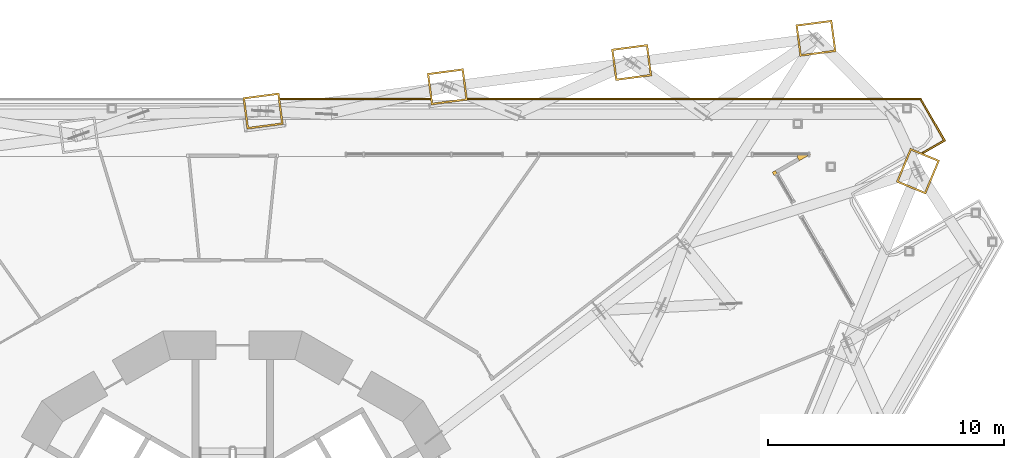
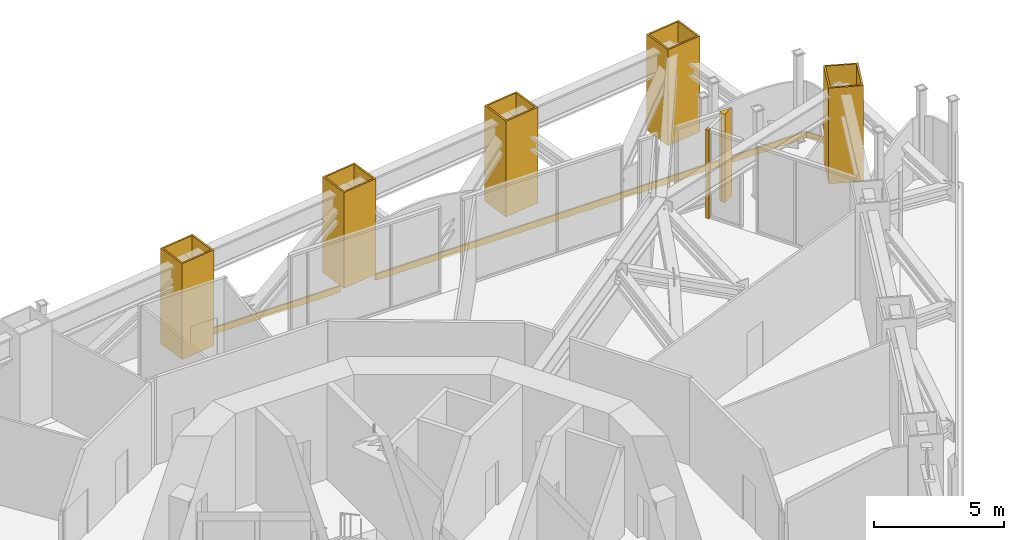
# One storey, part 28 of 28: 9 coverings.
"""IFC4 building model written with IfcOpenShell, lengths in metres."""

from ifc_helpers import new_model, si_unit, direction, frame, origin, place, context, subcontext, project, spatial, polyline, outline, extrude, material, layer, layer_set, type_object, element, save


model = new_model("IFC4")

# Units and contexts
model_context = context("Model", 3, precision=1e-05, world=origin(), true_north=direction((0.0, 1.0)))
body_context = subcontext(model_context, "Body", "Model", "MODEL_VIEW")
ifc_project = project(units=[si_unit("LENGTHUNIT", "METRE"), si_unit("AREAUNIT", "SQUARE_METRE"), si_unit("VOLUMEUNIT", "CUBIC_METRE"), si_unit("PLANEANGLEUNIT", "RADIAN"), si_unit("MASSUNIT", "GRAM", prefix="KILO")], contexts=[model_context])

# Site, building, storey
site_placement = place(None, origin())
site = spatial("IfcSite", under=ifc_project, at=site_placement, CompositionType="ELEMENT")
building_placement = place(site_placement, origin())
building = spatial("IfcBuilding", under=site, at=building_placement, Name="Trine Commons Tower", CompositionType="ELEMENT")
storey_placement = place(building_placement, frame((0.0, 0.0, 45.89990234375)))
storey = spatial("IfcBuildingStorey", under=building, at=storey_placement, Name="L10", CompositionType="ELEMENT", Elevation=45.89990234375)

# Coverings
ifc_material_1 = material(Name="Aluminium-framed insulated wall panel", Category="aluminium")
ifc_layer_1 = layer(ifc_material_1, 0.14990234375)
ifc_layer_set_1 = layer_set([ifc_layer_1], Name="Aluminium-framed insulated wall panel")
covering_type_1 = type_object("IfcCoveringType", Name="Glazing corner post, aluminium", PredefinedType="CLADDING", material=ifc_layer_set_1)
covering_1_placement = place(storey_placement, origin())
element("IfcCovering", 1, at=covering_1_placement, inside=storey, type_object=covering_type_1, Name="Glazing corner post 1-05", PredefinedType="CLADDING", context=body_context, shape_type="SweptSolid", body=[
    extrude(outline(polyline([(103.96875, 80.714599609375), (104.45361328125, 80.99462890625), (103.893798828125, 80.99462890625), (103.893798828125, 80.844482421875), (103.96875, 80.714599609375)])), origin(), (0.0, 0.0, 1.0), 4.150146484375),
])
covering_2_placement = place(storey_placement, origin())
element("IfcCovering", 2, at=covering_2_placement, inside=storey, type_object=covering_type_1, Name="Glazing corner post 1-06", PredefinedType="CLADDING", context=body_context, shape_type="SweptSolid", body=[
    extrude(outline(polyline([(102.898681640625, 80.0966796875), (103.028564453125, 80.171875), (102.95361328125, 80.3017578125), (102.823486328125, 80.226806640625), (102.898681640625, 80.0966796875)])), origin(), (0.0, 0.0, 1.0), 4.150146484375),
])
ifc_material_2 = material(Name="Limestone, honed", Category="masonry")
ifc_layer_2 = layer(ifc_material_2, 0.074951171875)
ifc_layer_set_2 = layer_set([ifc_layer_2], Name="Limestone, honed")
covering_type_2 = type_object("IfcCoveringType", Name="Limestone column cladding 75", PredefinedType="CLADDING", material=ifc_layer_set_2)
covering_3_placement = place(storey_placement, origin())
element("IfcCovering", 3, at=covering_3_placement, inside=storey, type_object=covering_type_2, Name="Limestone pier cladding 2-13", PredefinedType="CLADDING", context=body_context, shape_type="SweptSolid", body=[
    extrude(outline(polyline([(82.1455078125, 82.250732421875), (81.969482421875, 83.58935546875), (80.4326171875, 83.386962890625), (80.60888671875, 82.048583984375), (82.1455078125, 82.250732421875)]), holes=[polyline([(82.061279296875, 82.3154296875), (81.90478515625, 83.505126953125), (80.516845703125, 83.322509765625), (80.67333984375, 82.1328125), (82.061279296875, 82.3154296875)])]), origin(), (0.0, 0.0, 1.0), 4.5),
])
covering_4_placement = place(storey_placement, origin())
element("IfcCovering", 4, at=covering_4_placement, inside=storey, type_object=covering_type_2, Name="Limestone pier cladding 2-14", PredefinedType="CLADDING", context=body_context, shape_type="SweptSolid", body=[
    extrude(outline(polyline([(89.93896484375, 83.27685546875), (89.7626953125, 84.615234375), (88.225830078125, 84.4130859375), (88.402099609375, 83.074462890625), (89.93896484375, 83.27685546875)]), holes=[polyline([(89.854736328125, 83.34130859375), (89.697998046875, 84.531005859375), (88.31005859375, 84.348388671875), (88.466796875, 83.15869140625), (89.854736328125, 83.34130859375)])]), origin(), (0.0, 0.0, 1.0), 4.5),
])
covering_5_placement = place(storey_placement, origin())
element("IfcCovering", 5, at=covering_5_placement, inside=storey, type_object=covering_type_2, Name="Limestone pier cladding 2-15", PredefinedType="CLADDING", context=body_context, shape_type="SweptSolid", body=[
    extrude(outline(polyline([(97.732177734375, 84.302734375), (97.555908203125, 85.641357421875), (96.019287109375, 85.43896484375), (96.1953125, 84.1005859375), (97.732177734375, 84.302734375)]), holes=[polyline([(97.64794921875, 84.367431640625), (97.491455078125, 85.55712890625), (96.103515625, 85.37451171875), (96.260009765625, 84.184814453125), (97.64794921875, 84.367431640625)])]), origin(), (0.0, 0.0, 1.0), 4.5),
])
covering_6_placement = place(storey_placement, origin())
element("IfcCovering", 6, at=covering_6_placement, inside=storey, type_object=covering_type_2, Name="Limestone pier cladding 2-16", PredefinedType="CLADDING", context=body_context, shape_type="SweptSolid", body=[
    extrude(outline(polyline([(105.525390625, 85.328857421875), (105.34912109375, 86.667236328125), (103.8125, 86.465087890625), (103.988525390625, 85.12646484375), (105.525390625, 85.328857421875)]), holes=[polyline([(105.441162109375, 85.393310546875), (105.28466796875, 86.5830078125), (103.896484375, 86.400390625), (104.05322265625, 85.210693359375), (105.441162109375, 85.393310546875)])]), origin(), (0.0, 0.0, 1.0), 4.5),
])
covering_7_placement = place(storey_placement, origin())
element("IfcCovering", 7, at=covering_7_placement, inside=storey, type_object=covering_type_2, Name="Limestone pier cladding 2-17", PredefinedType="CLADDING", context=body_context, shape_type="SweptSolid", body=[
    extrude(outline(polyline([(109.904541015625, 80.73046875), (108.657470703125, 81.2470703125), (108.064208984375, 79.815185546875), (109.311279296875, 79.298583984375), (109.904541015625, 80.73046875)]), holes=[polyline([(109.806640625, 80.68994140625), (108.697998046875, 81.149169921875), (108.162109375, 79.855712890625), (109.270751953125, 79.396484375), (109.806640625, 80.68994140625)])]), origin(), (0.0, 0.0, 1.0), 4.5),
])
ifc_layer_3 = layer(ifc_material_2, 0.074951171875)
ifc_layer_set_3 = layer_set([ifc_layer_3], Name="Limestone, honed")
covering_type_3 = type_object("IfcCoveringType", Name="Limestone spandrel panel 75", PredefinedType="CLADDING", material=ifc_layer_set_3)
covering_8_placement = place(storey_placement, frame((0.0, 0.0, -0.2998046875)))
element("IfcCovering", 8, at=covering_8_placement, inside=storey, type_object=covering_type_3, Name="Limestone spandrel panel 1-06", PredefinedType="CLADDING", context=body_context, shape_type="SweptSolid", body=[
    extrude(outline(polyline([(109.114990234375, 83.359619140625), (89.927978515625, 83.359619140625), (89.93798828125, 83.28466796875), (109.07177734375, 83.28466796875), (110.0537109375, 81.58349609375), (109.131103515625, 81.05078125), (109.218505859375, 81.0146484375), (110.15625, 81.55615234375), (109.114990234375, 83.359619140625)])), origin(), (0.0, 0.0, 1.0), 0.2998046875),
])
covering_9_placement = place(storey_placement, frame((0.0, 0.0, -0.2998046875)))
element("IfcCovering", 9, at=covering_9_placement, inside=storey, type_object=covering_type_3, Name="Limestone spandrel panel 1-07", PredefinedType="CLADDING", context=body_context, shape_type="SweptSolid", body=[
    extrude(outline(polyline([(88.364501953125, 83.359619140625), (81.99951171875, 83.359619140625), (82.009521484375, 83.28466796875), (88.37451171875, 83.28466796875), (88.364501953125, 83.359619140625)])), origin(), (0.0, 0.0, 1.0), 0.2998046875),
])

save(model, "model.ifc")
